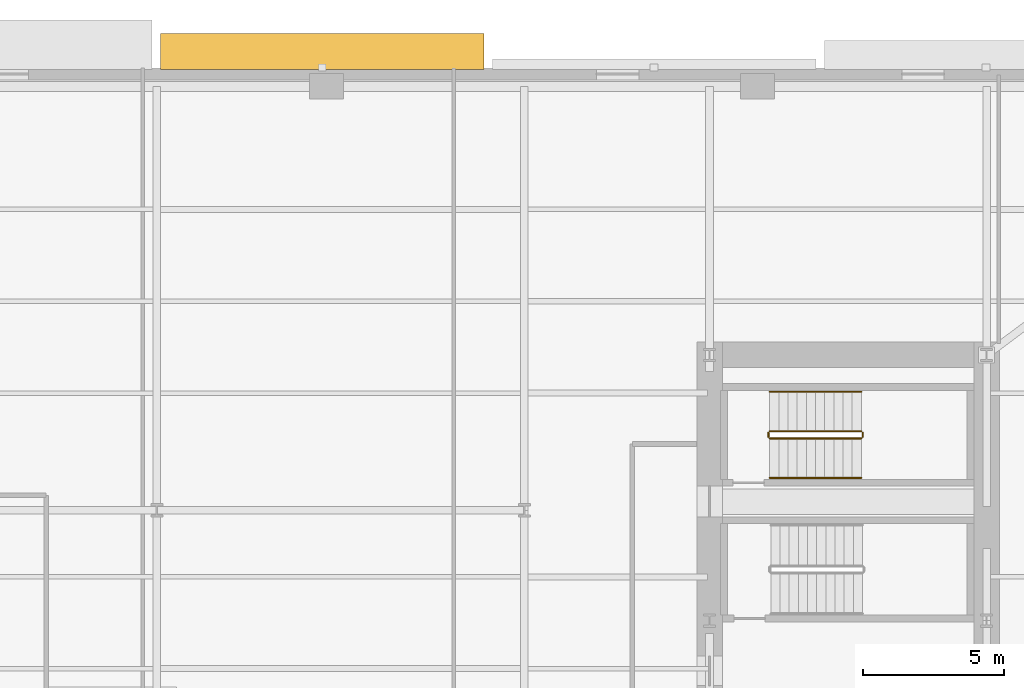
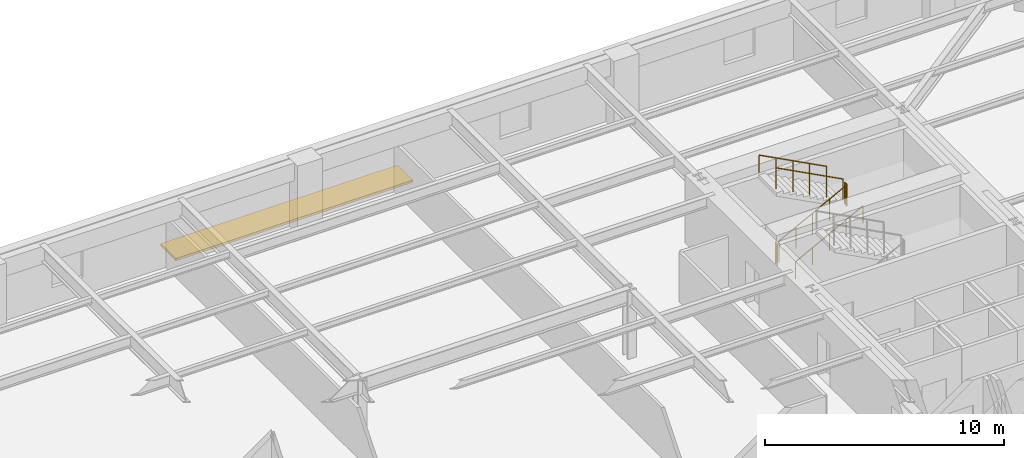
# One storey, part 13 of 14: 6 railings, 1 shading device.
"""IFC4 building model written with IfcOpenShell, lengths in metres."""

from ifc_helpers import new_model, si_unit, direction, frame, origin, origin_2d, place, context, subcontext, project, spatial, rectangle, circle, extrude, material, type_object, element, save


model = new_model("IFC4")

# Units and contexts
model_context = context("Model", 3, precision=1e-05, world=origin(), true_north=direction((0.0, 1.0)))
body_context = subcontext(model_context, "Body", "Model", "MODEL_VIEW")
ifc_project = project(units=[si_unit("LENGTHUNIT", "METRE"), si_unit("AREAUNIT", "SQUARE_METRE"), si_unit("VOLUMEUNIT", "CUBIC_METRE"), si_unit("PLANEANGLEUNIT", "RADIAN"), si_unit("MASSUNIT", "GRAM", prefix="KILO")], contexts=[model_context])

# Site, building, storey
site_placement = place(None, origin())
site = spatial("IfcSite", under=ifc_project, at=site_placement, CompositionType="ELEMENT")
building_placement = place(site_placement, origin())
building = spatial("IfcBuilding", under=site, at=building_placement, Name="Kolvaren Arena Tower", CompositionType="ELEMENT")
storey_placement = place(building_placement, frame((0.0, 0.0, 79.5)))
storey = spatial("IfcBuildingStorey", under=building, at=storey_placement, Name="L17", CompositionType="ELEMENT", Elevation=79.5)

# Railings
ifc_material_1 = material(Name="Painted galvanized steel", Category="steel")
railing_type_1 = type_object("IfcRailingType", Name="GUARD-ST-110", PredefinedType="GUARDRAIL", material=ifc_material_1)
railing_1_placement = place(storey_placement, frame((52.679931640625, 36.39990234375, 0.17041015625)))
element("IfcRailing", 1, at=railing_1_placement, inside=storey, type_object=railing_type_1, Name="L17 ST-E2 stair guard 1", PredefinedType="GUARDRAIL", context=body_context, shape_type="SweptSolid", body=[
    extrude(circle(Radius=0.02392578125, at=origin_2d()), frame((0.0, 0.0, 1.076171875), z_axis=(0.884993431791, 0.0, 0.465603506952), x_axis=(0.0, 1.0, 0.0)), (0.0, 0.0, 1.0), 3.6611328125),
    extrude(circle(Radius=0.02099609375, at=origin_2d()), origin(), (0.0, 0.0, 1.0), 1.052001953125),
    extrude(circle(Radius=0.02099609375, at=origin_2d()), frame((0.81005859375, 0.0, 0.42626953125)), (0.0, 0.0, 1.0), 1.052001953125),
    extrude(circle(Radius=0.02099609375, at=origin_2d()), frame((1.6201171875, 0.0, 0.852294921875)), (0.0, 0.0, 1.0), 1.052001953125),
    extrude(circle(Radius=0.02099609375, at=origin_2d()), frame((2.429931640625, 0.0, 1.2783203125)), (0.0, 0.0, 1.0), 1.052001953125),
    extrude(circle(Radius=0.02099609375, at=origin_2d()), frame((3.239990234375, 0.0, 1.70458984375)), (0.0, 0.0, 1.0), 1.052001953125),
])
railing_2_placement = place(storey_placement, frame((55.969970703125, 36.449951171875, 1.875)))
element("IfcRailing", 2, at=railing_2_placement, inside=storey, type_object=railing_type_1, Name="L17 ST-E2 stair guard 2", PredefinedType="GUARDRAIL", context=body_context, shape_type="SweptSolid", body=[
    extrude(circle(Radius=0.02392578125, at=origin_2d()), frame((0.0, 0.0, 1.076171875), z_axis=(0.0, 1.0, 0.0), x_axis=(-1.0, 0.0, 0.0)), (0.0, 0.0, 1.0), 0.150146484375),
    extrude(circle(Radius=0.02099609375, at=origin_2d()), origin(), (0.0, 0.0, 1.0), 1.052001953125),
    extrude(circle(Radius=0.02099609375, at=origin_2d()), frame((0.0, 0.150146484375, 0.0)), (0.0, 0.0, 1.0), 1.052001953125),
])
railing_3_placement = place(storey_placement, frame((55.919921875, 36.64990234375, 2.04541015625)))
element("IfcRailing", 3, at=railing_3_placement, inside=storey, type_object=railing_type_1, Name="L17 ST-E2 stair guard 3", PredefinedType="GUARDRAIL", context=body_context, shape_type="SweptSolid", body=[
    extrude(circle(Radius=0.02392578125, at=origin_2d()), frame((0.0, 0.0, 1.076171875), z_axis=(-0.884993431791, 0.0, 0.465603506952), x_axis=(0.0, -1.0, 0.0)), (0.0, 0.0, 1.0), 3.6611328125),
    extrude(circle(Radius=0.02099609375, at=origin_2d()), origin(), (0.0, 0.0, 1.0), 1.052001953125),
    extrude(circle(Radius=0.02099609375, at=origin_2d()), frame((-0.81005859375, 0.0, 0.42626953125)), (0.0, 0.0, 1.0), 1.052001953125),
    extrude(circle(Radius=0.02099609375, at=origin_2d()), frame((-1.6201171875, 0.0, 0.852294921875)), (0.0, 0.0, 1.0), 1.052001953125),
    extrude(circle(Radius=0.02099609375, at=origin_2d()), frame((-2.429931640625, 0.0, 1.2783203125)), (0.0, 0.0, 1.0), 1.052001953125),
    extrude(circle(Radius=0.02099609375, at=origin_2d()), frame((-3.239990234375, 0.0, 1.70458984375)), (0.0, 0.0, 1.0), 1.052001953125),
])
railing_4_placement = place(storey_placement, frame((52.6298828125, 36.449951171875, 0.0)))
element("IfcRailing", 4, at=railing_4_placement, inside=storey, type_object=railing_type_1, Name="L17 ST-E2 stair guard 4", PredefinedType="GUARDRAIL", context=body_context, shape_type="SweptSolid", body=[
    extrude(circle(Radius=0.02392578125, at=origin_2d()), frame((0.0, 0.0, 1.076171875), z_axis=(0.0, 1.0, 0.0), x_axis=(-1.0, 0.0, 0.0)), (0.0, 0.0, 1.0), 0.150146484375),
    extrude(circle(Radius=0.02099609375, at=origin_2d()), origin(), (0.0, 0.0, 1.0), 1.052001953125),
    extrude(circle(Radius=0.02099609375, at=origin_2d()), frame((0.0, 0.150146484375, 0.0)), (0.0, 0.0, 1.0), 1.052001953125),
])
ifc_material_2 = material(Name="Brushed stainless steel handrail", Category="steel")
railing_type_2 = type_object("IfcRailingType", Name="HRAIL-900", PredefinedType="HANDRAIL", material=ifc_material_2)
railing_5_placement = place(storey_placement, frame((52.679931640625, 35.0, 0.17041015625)))
element("IfcRailing", 5, at=railing_5_placement, inside=storey, type_object=railing_type_2, Name="L17 ST-E2 stair handrail 1", PredefinedType="HANDRAIL", context=body_context, shape_type="SweptSolid", body=[
    extrude(circle(Radius=0.02392578125, at=origin_2d()), frame((0.0, 0.0, 0.8759765625), z_axis=(0.884993431791, 0.0, 0.465603506952), x_axis=(0.0, 1.0, 0.0)), (0.0, 0.0, 1.0), 3.6611328125),
    extrude(circle(Radius=0.02099609375, at=origin_2d()), origin(), (0.0, 0.0, 1.0), 0.851806640625),
    extrude(circle(Radius=0.02099609375, at=origin_2d()), frame((0.81005859375, 0.0, 0.42626953125)), (0.0, 0.0, 1.0), 0.851806640625),
    extrude(circle(Radius=0.02099609375, at=origin_2d()), frame((1.6201171875, 0.0, 0.852294921875)), (0.0, 0.0, 1.0), 0.851806640625),
    extrude(circle(Radius=0.02099609375, at=origin_2d()), frame((2.429931640625, 0.0, 1.2783203125)), (0.0, 0.0, 1.0), 0.851806640625),
    extrude(circle(Radius=0.02099609375, at=origin_2d()), frame((3.239990234375, 0.0, 1.70458984375)), (0.0, 0.0, 1.0), 0.851806640625),
])
railing_6_placement = place(storey_placement, frame((55.919921875, 38.050048828125, 2.04541015625)))
element("IfcRailing", 6, at=railing_6_placement, inside=storey, type_object=railing_type_2, Name="L17 ST-E2 stair handrail 2", PredefinedType="HANDRAIL", context=body_context, shape_type="SweptSolid", body=[
    extrude(circle(Radius=0.02392578125, at=origin_2d()), frame((0.0, 0.0, 0.8759765625), z_axis=(-0.884993431791, 0.0, 0.465603506952), x_axis=(0.0, -1.0, 0.0)), (0.0, 0.0, 1.0), 3.6611328125),
    extrude(circle(Radius=0.02099609375, at=origin_2d()), origin(), (0.0, 0.0, 1.0), 0.851806640625),
    extrude(circle(Radius=0.02099609375, at=origin_2d()), frame((-0.81005859375, 0.0, 0.42626953125)), (0.0, 0.0, 1.0), 0.851806640625),
    extrude(circle(Radius=0.02099609375, at=origin_2d()), frame((-1.6201171875, 0.0, 0.852294921875)), (0.0, 0.0, 1.0), 0.851806640625),
    extrude(circle(Radius=0.02099609375, at=origin_2d()), frame((-2.429931640625, 0.0, 1.2783203125)), (0.0, 0.0, 1.0), 0.851806640625),
    extrude(circle(Radius=0.02099609375, at=origin_2d()), frame((-3.239990234375, 0.0, 1.70458984375)), (0.0, 0.0, 1.0), 0.851806640625),
])

# Shading device
ifc_material_3 = material(Name="Architectural precast GFRC and anodised aluminium sunshade", Category="concrete")
shading_device_type = type_object("IfcShadingDeviceType", Name="SHAD-SINE-B", PredefinedType="JALOUSIE", material=ifc_material_3)
shading_device_placement = place(storey_placement, frame((36.85009765625, 50.0859375, -0.14013671875), z_axis=(0.0, 0.0, 1.0), x_axis=(1.0, 0.0, 0.0)))
element("IfcShadingDevice", 7, at=shading_device_placement, inside=storey, type_object=shading_device_type, Name="Sinusoidal Slab-Edge Sunshade Louvre (L17)", PredefinedType="JALOUSIE", context=body_context, shape_type="SweptSolid", body=[
    extrude(rectangle(XDim=11.43994140625, YDim=1.271728515625, at=origin_2d()), origin(), (0.0, 0.0, 1.0), 0.1201171875),
])

save(model, "model.ifc")
